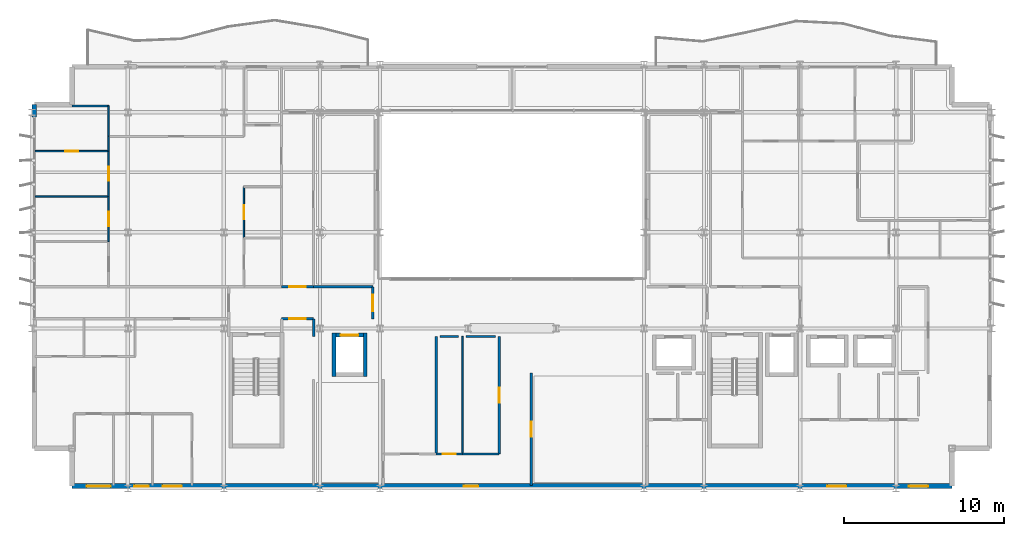
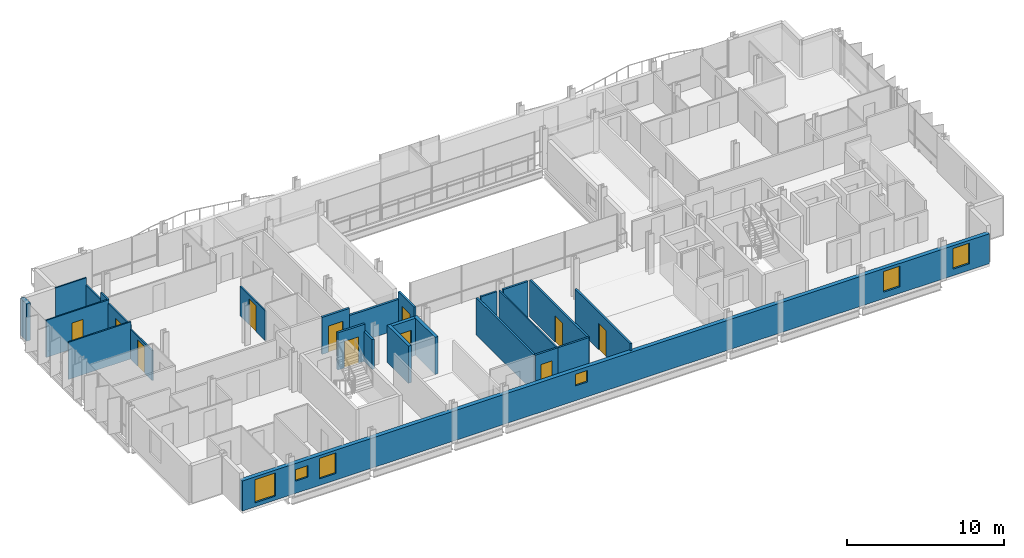
# One storey, part 29 of 38: 26 walls, 11 doors, 6 windows, 17 openings.
"""IFC4 building model written with IfcOpenShell, lengths in metres."""

from ifc_helpers import new_model, si_unit, direction, frame, frame_2d, origin, place, context, subcontext, project, spatial, rectangle, extrude, material, layer, layer_set, type_object, element, fill, save


model = new_model("IFC4")

# Units and contexts
model_context = context("Model", 3, precision=1e-05, world=origin(), true_north=direction((0.0, 1.0)))
body_context = subcontext(model_context, "Body", "Model", "MODEL_VIEW")
ifc_project = project(units=[si_unit("LENGTHUNIT", "METRE"), si_unit("AREAUNIT", "SQUARE_METRE"), si_unit("VOLUMEUNIT", "CUBIC_METRE"), si_unit("PLANEANGLEUNIT", "RADIAN"), si_unit("MASSUNIT", "GRAM", prefix="KILO")], contexts=[model_context])

# Site, building, storey
site_placement = place(None, origin())
site = spatial("IfcSite", under=ifc_project, at=site_placement, CompositionType="ELEMENT")
building_placement = place(site_placement, origin())
building = spatial("IfcBuilding", under=site, at=building_placement, Name="Brevholm Reach", CompositionType="ELEMENT")
storey_placement = place(building_placement, frame((0.0, 0.0, 186.300048828125)))
storey = spatial("IfcBuildingStorey", under=building, at=storey_placement, Name="L56", CompositionType="ELEMENT", Elevation=186.300048828125)

# Walls
ifc_material_1 = material(Name="Concrete C45/55", Category="concrete")
ifc_layer_1 = layer(ifc_material_1, 0.239990234375)
ifc_layer_set_1 = layer_set([ifc_layer_1], Name="Concrete C45/55")
wall_type_1 = type_object("IfcWallType", Name="WAL-COR-240", PredefinedType="SHEAR", material=ifc_layer_set_1)
for number, where, z_axis, x_axis, name in (
    (1, (18.8701171875, 7.0, 0.0), (0.0, 0.0, 1.0), (0.0, 1.0, 0.0), "L56 Lift FFL-1 Shaft Wall W"),
    (2, (20.830078125, 7.0, 0.0), (0.0, 0.0, 1.0), (0.0, 1.0, 0.0), "L56 Lift FFL-1 Shaft Wall E"),
):
    element("IfcWall", number, at=place(storey_placement, frame(where, z_axis=z_axis, x_axis=x_axis)), inside=storey, type_object=wall_type_1, Name=name, PredefinedType="SHEAR", context=body_context, shape_type="SweptSolid", body=[
        extrude(rectangle(XDim=2.699951171875, YDim=0.239990234375, at=frame_2d((1.35009765625, 0.0))), origin(), (0.0, 0.0, 1.0), 2.889892578125),
    ])

# Wall, opening, door
wall_1_placement = place(storey_placement, frame((18.989990234375, 9.580078125, 0.0), z_axis=(0.0, 0.0, 1.0), x_axis=(1.0, 0.0, 0.0)))
wall_1 = element("IfcWall", 3, at=wall_1_placement, inside=storey, type_object=wall_type_1, Name="L56 Lift FFL-1 Shaft Wall N", PredefinedType="SHEAR", context=body_context, shape_type="SweptSolid", body=[
    extrude(rectangle(XDim=1.719970703125, YDim=0.239990234375, at=frame_2d((0.85986328125, 0.0))), origin(), (0.0, 0.0, 1.0), 2.889892578125),
])
opening_1_placement = place(wall_1_placement, frame((0.31005859375, 0.0, 0.0)))
opening_1 = element("IfcOpeningElement", 4, at=opening_1_placement, cuts=wall_1, Name="Opening LD-FFL-1", PredefinedType="OPENING", context=body_context, shape_type="SweptSolid", body=[
    extrude(rectangle(XDim=1.10009765625, YDim=2.06005859375, at=frame_2d((0.550048828125, 1.030029296875))), frame((0.0, 0.1298828125, 0.0), z_axis=(0.0, -1.0, 0.0), x_axis=(1.0, 0.0, 0.0)), (0.0, 0.0, 1.0), 0.260009765625),
])
ifc_material_2 = material(Name="Brushed Stainless Steel Fire-Rated Sliding Lift Door", Category="steel")
door_type_1 = type_object("IfcDoorType", Name="DOR-LFT-1100", OperationType="NOTDEFINED", PredefinedType="DOOR", material=ifc_material_2)
door_1_placement = place(opening_1_placement, origin())
door_1 = element("IfcDoor", 5, at=door_1_placement, inside=storey, type_object=door_type_1, Name="L56 Lift FFL-1 Sliding Landing Door", OperationType="SLIDING_TO_RIGHT", OverallHeight=2.06005859375, OverallWidth=1.10009765625, PredefinedType="DOOR", context=body_context, shape_type="SweptSolid", body=[
    extrude(rectangle(XDim=1.10009765625, YDim=2.06005859375, at=frame_2d((0.550048828125, 1.030029296875))), frame((0.0, 0.02490234375, 0.0), z_axis=(0.0, -1.0, 0.0), x_axis=(1.0, 0.0, 0.0)), (0.0, 0.0, 1.0), 0.050048828125),
])
fill(opening_1, door_1)

# Wall, openings, windows
ifc_material_3 = material(Name="Concrete C40/50", Category="concrete")
ifc_layer_2 = layer(ifc_material_3, 0.300048828125)
ifc_layer_set_2 = layer_set([ifc_layer_2], Name="Concrete C40/50")
wall_type_2 = type_object("IfcWallType", Name="WAL-EXT-300", PredefinedType="STANDARD", material=ifc_layer_set_2)
wall_2_placement = place(storey_placement, frame((2.5, 0.14990234375, 0.0), z_axis=(0.0, 0.0, 1.0), x_axis=(1.0, 0.0, 0.0)))
wall_2 = element("IfcWall", 6, at=wall_2_placement, inside=storey, type_object=wall_type_2, Name="L56 Facade Wall WAL-L56-S", PredefinedType="STANDARD", context=body_context, shape_type="SweptSolid", body=[
    extrude(rectangle(XDim=55.0, YDim=0.300048828125, at=frame_2d((27.5, 0.0))), origin(), (0.0, 0.0, 1.0), 2.331787109375),
])
opening_2_placement = place(wall_2_placement, frame((0.919921875, 0.0, 0.31201171875)))
opening_2 = element("IfcOpeningElement", 7, at=opening_2_placement, cuts=wall_2, Name="Opening WN-05", PredefinedType="OPENING", context=body_context, shape_type="SweptSolid", body=[
    extrude(rectangle(XDim=1.5, YDim=1.800048828125, at=frame_2d((0.75, 0.89990234375))), frame((0.0, 0.159912109375, 0.0), z_axis=(0.0, -1.0, 0.0), x_axis=(1.0, 0.0, 0.0)), (0.0, 0.0, 1.0), 0.320068359375),
])
opening_3_placement = place(wall_2_placement, frame((24.5, 0.0, 1.14990234375)))
opening_3 = element("IfcOpeningElement", 8, at=opening_3_placement, cuts=wall_2, Name="Opening WN-09", PredefinedType="OPENING", context=body_context, shape_type="SweptSolid", body=[
    extrude(rectangle(XDim=0.89990234375, YDim=0.89990234375, at=frame_2d((0.449951171875, 0.449951171875))), frame((0.0, 0.159912109375, 0.0), z_axis=(0.0, -1.0, 0.0), x_axis=(1.0, 0.0, 0.0)), (0.0, 0.0, 1.0), 0.320068359375),
])
opening_4_placement = place(wall_2_placement, frame((47.199951171875, 0.0, 0.511962890625)))
opening_4 = element("IfcOpeningElement", 9, at=opening_4_placement, cuts=wall_2, Name="Opening WN-08", PredefinedType="OPENING", context=body_context, shape_type="SweptSolid", body=[
    extrude(rectangle(XDim=1.199951171875, YDim=1.60009765625, at=frame_2d((0.60009765625, 0.800048828125))), frame((0.0, 0.159912109375, 0.0), z_axis=(0.0, -1.0, 0.0), x_axis=(1.0, 0.0, 0.0)), (0.0, 0.0, 1.0), 0.320068359375),
])
opening_5_placement = place(wall_2_placement, frame((52.300048828125, 0.0, 0.511962890625)))
opening_5 = element("IfcOpeningElement", 10, at=opening_5_placement, cuts=wall_2, Name="Opening WN-08", PredefinedType="OPENING", context=body_context, shape_type="SweptSolid", body=[
    extrude(rectangle(XDim=1.199951171875, YDim=1.60009765625, at=frame_2d((0.60009765625, 0.800048828125))), frame((0.0, 0.159912109375, 0.0), z_axis=(0.0, -1.0, 0.0), x_axis=(1.0, 0.0, 0.0)), (0.0, 0.0, 1.0), 0.320068359375),
])
opening_6_placement = place(wall_2_placement, frame((3.90966796875, 0.0, 0.949951171875)))
opening_6 = element("IfcOpeningElement", 11, at=opening_6_placement, cuts=wall_2, Name="Opening WN-09", PredefinedType="OPENING", context=body_context, shape_type="SweptSolid", body=[
    extrude(rectangle(XDim=0.89990234375, YDim=0.89990234375, at=frame_2d((0.449951171875, 0.449951171875))), frame((0.0, 0.159912109375, 0.0), z_axis=(0.0, -1.0, 0.0), x_axis=(1.0, 0.0, 0.0)), (0.0, 0.0, 1.0), 0.320068359375),
])
opening_7_placement = place(wall_2_placement, frame((5.675048828125, 0.0, 0.511962890625)))
opening_7 = element("IfcOpeningElement", 12, at=opening_7_placement, cuts=wall_2, Name="Opening WN-08", PredefinedType="OPENING", context=body_context, shape_type="SweptSolid", body=[
    extrude(rectangle(XDim=1.199951171875, YDim=1.60009765625, at=frame_2d((0.60009765625, 0.800048828125))), frame((0.0, 0.159912109375, 0.0), z_axis=(0.0, -1.0, 0.0), x_axis=(1.0, 0.0, 0.0)), (0.0, 0.0, 1.0), 0.320068359375),
])
ifc_material_4 = material(Name="Dark Anodised Aluminium and Solar-Control IGU Glass", Category="aluminium")
window_type_1 = type_object("IfcWindowType", Name="WIN-POR-0900", PartitioningType="SINGLE_PANEL", PredefinedType="WINDOW", material=ifc_material_4)
window_1_placement = place(opening_3_placement, origin())
window_1 = element("IfcWindow", 13, at=window_1_placement, inside=storey, type_object=window_type_1, Name="L56 Window WIN-L56-S-POR", OverallHeight=0.89990234375, OverallWidth=0.89990234375, PartitioningType="SINGLE_PANEL", PredefinedType="WINDOW", context=body_context, shape_type="SweptSolid", body=[
    extrude(rectangle(XDim=0.89990234375, YDim=0.89990234375, at=frame_2d((0.449951171875, 0.449951171875))), frame((0.0, 0.030029296875, 0.0), z_axis=(0.0, -1.0, 0.0), x_axis=(1.0, 0.0, 0.0)), (0.0, 0.0, 1.0), 0.06005859375),
])
fill(opening_3, window_1)
window_2_placement = place(opening_6_placement, origin())
window_2 = element("IfcWindow", 14, at=window_2_placement, inside=storey, type_object=window_type_1, Name="L56 Bedroom Window 054", OverallHeight=0.89990234375, OverallWidth=0.89990234375, PartitioningType="SINGLE_PANEL", PredefinedType="WINDOW", context=body_context, shape_type="SweptSolid", body=[
    extrude(rectangle(XDim=0.89990234375, YDim=0.89990234375, at=frame_2d((0.449951171875, 0.449951171875))), frame((0.0, 0.030029296875, 0.0), z_axis=(0.0, -1.0, 0.0), x_axis=(1.0, 0.0, 0.0)), (0.0, 0.0, 1.0), 0.06005859375),
])
fill(opening_6, window_2)
ifc_material_5 = material(Name="Dark Anodised Aluminium and Solar-Control IGU Glass", Category="aluminium")
window_type_2 = type_object("IfcWindowType", Name="WIN-RES-1200", PartitioningType="SINGLE_PANEL", PredefinedType="WINDOW", material=ifc_material_5)
window_3_placement = place(opening_4_placement, origin())
window_3 = element("IfcWindow", 15, at=window_3_placement, inside=storey, type_object=window_type_2, Name="L56 Window WIN-L56-S-E1", OverallHeight=1.60009765625, OverallWidth=1.199951171875, PartitioningType="SINGLE_PANEL", PredefinedType="WINDOW", context=body_context, shape_type="SweptSolid", body=[
    extrude(rectangle(XDim=1.199951171875, YDim=1.60009765625, at=frame_2d((0.60009765625, 0.800048828125))), frame((0.0, 0.030029296875, 0.0), z_axis=(0.0, -1.0, 0.0), x_axis=(1.0, 0.0, 0.0)), (0.0, 0.0, 1.0), 0.06005859375),
])
fill(opening_4, window_3)
window_4_placement = place(opening_5_placement, origin())
window_4 = element("IfcWindow", 16, at=window_4_placement, inside=storey, type_object=window_type_2, Name="L56 Window WIN-L56-S-E2", OverallHeight=1.60009765625, OverallWidth=1.199951171875, PartitioningType="SINGLE_PANEL", PredefinedType="WINDOW", context=body_context, shape_type="SweptSolid", body=[
    extrude(rectangle(XDim=1.199951171875, YDim=1.60009765625, at=frame_2d((0.60009765625, 0.800048828125))), frame((0.0, 0.030029296875, 0.0), z_axis=(0.0, -1.0, 0.0), x_axis=(1.0, 0.0, 0.0)), (0.0, 0.0, 1.0), 0.06005859375),
])
fill(opening_5, window_4)
window_5_placement = place(opening_7_placement, origin())
window_5 = element("IfcWindow", 17, at=window_5_placement, inside=storey, type_object=window_type_2, Name="L56 Bedroom Window 055", OverallHeight=1.60009765625, OverallWidth=1.199951171875, PartitioningType="SINGLE_PANEL", PredefinedType="WINDOW", context=body_context, shape_type="SweptSolid", body=[
    extrude(rectangle(XDim=1.199951171875, YDim=1.60009765625, at=frame_2d((0.60009765625, 0.800048828125))), frame((0.0, 0.030029296875, 0.0), z_axis=(0.0, -1.0, 0.0), x_axis=(1.0, 0.0, 0.0)), (0.0, 0.0, 1.0), 0.06005859375),
])
fill(opening_7, window_5)
ifc_material_6 = material(Name="Dark Anodised Aluminium and Solar-Control IGU Glass", Category="aluminium")
window_type_3 = type_object("IfcWindowType", Name="WIN-RES-1500", PartitioningType="SINGLE_PANEL", PredefinedType="WINDOW", material=ifc_material_6)
window_6_placement = place(opening_2_placement, origin())
window_6 = element("IfcWindow", 18, at=window_6_placement, inside=storey, type_object=window_type_3, Name="L56 Window WIN-L56-S-W1", OverallHeight=1.800048828125, OverallWidth=1.5, PartitioningType="SINGLE_PANEL", PredefinedType="WINDOW", context=body_context, shape_type="SweptSolid", body=[
    extrude(rectangle(XDim=1.5, YDim=1.800048828125, at=frame_2d((0.75, 0.89990234375))), frame((0.0, 0.030029296875, 0.0), z_axis=(0.0, -1.0, 0.0), x_axis=(1.0, 0.0, 0.0)), (0.0, 0.0, 1.0), 0.06005859375),
])
fill(opening_2, window_6)

# Walls
wall_3_placement = place(storey_placement, frame((0.14990234375, 24.0, 0.0), z_axis=(0.0, 0.0, 1.0), x_axis=(0.0, -1.0, 0.0)))
element("IfcWall", 19, at=wall_3_placement, inside=storey, type_object=wall_type_2, Name="L56 Facade Wall WAL-L56-W-N", PredefinedType="STANDARD", context=body_context, shape_type="SweptSolid", body=[
    extrude(rectangle(XDim=0.780029296875, YDim=0.300048828125, at=frame_2d((0.39013671875, 0.0))), origin(), (0.0, 0.0, 1.0), 2.889892578125),
])
ifc_material_7 = material(Name="Moisture-Resistant Acoustic Gypsum Stud Partition 100 mm", Category="gypsum")
ifc_layer_3 = layer(ifc_material_7, 0.10009765625)
ifc_layer_set_3 = layer_set([ifc_layer_3], Name="Moisture-Resistant Acoustic Gypsum Stud Partition 100 mm")
wall_type_3 = type_object("IfcWallType", Name="WAL-PRT-100", PredefinedType="PARTITIONING", material=ifc_layer_set_3)
wall_4_placement = place(storey_placement, frame((26.89990234375, 2.154052734375, 0.0), z_axis=(0.0, 0.0, 1.0), x_axis=(0.0, 1.0, 0.0)))
element("IfcWall", 20, at=wall_4_placement, inside=storey, type_object=wall_type_3, Name="L56 Internal Partition 009", PredefinedType="PARTITIONING", context=body_context, shape_type="SweptSolid", body=[
    extrude(rectangle(XDim=7.345947265625, YDim=0.10009765625, at=frame_2d((3.6728515625, 0.0))), origin(), (0.0, 0.0, 1.0), 2.889892578125),
])

# Wall, opening, door
wall_5_placement = place(storey_placement, frame((13.25, 15.654052734375, 0.0), z_axis=(0.0, 0.0, 1.0), x_axis=(0.0, 1.0, 0.0)))
wall_5 = element("IfcWall", 21, at=wall_5_placement, inside=storey, type_object=wall_type_3, Name="L56 Internal Partition 073", PredefinedType="PARTITIONING", context=body_context, shape_type="SweptSolid", body=[
    extrude(rectangle(XDim=3.196044921875, YDim=0.10009765625, at=frame_2d((1.59814453125, 0.0))), origin(), (0.0, 0.0, 1.0), 2.325439453125),
])
opening_8_placement = place(wall_5_placement, frame((1.157958984375, 0.0, 0.0)))
opening_8 = element("IfcOpeningElement", 22, at=opening_8_placement, cuts=wall_5, Name="Opening ID-01", PredefinedType="OPENING", context=body_context, shape_type="SweptSolid", body=[
    extrude(rectangle(XDim=0.8798828125, YDim=2.0400390625, at=frame_2d((0.43994140625, 1.02001953125))), frame((0.0, 0.06005859375, 0.0), z_axis=(0.0, -1.0, 0.0), x_axis=(1.0, 0.0, 0.0)), (0.0, 0.0, 1.0), 0.1201171875),
])
ifc_material_8 = material(Name="Lacquered Ash Solid-Core Acoustic Internal Door", Category="timber")
door_type_2 = type_object("IfcDoorType", Name="DOR-INT-880", OperationType="NOTDEFINED", PredefinedType="DOOR", material=ifc_material_8)
door_2_placement = place(opening_8_placement, origin())
door_2 = element("IfcDoor", 23, at=door_2_placement, inside=storey, type_object=door_type_2, Name="L56 Internal Door 033", OperationType="SINGLE_SWING_RIGHT", OverallHeight=2.0400390625, OverallWidth=0.8798828125, PredefinedType="DOOR", context=body_context, shape_type="SweptSolid", body=[
    extrude(rectangle(XDim=0.8798828125, YDim=2.0400390625, at=frame_2d((0.43994140625, 1.02001953125))), frame((0.0, 0.02490234375, 0.0), z_axis=(0.0, -1.0, 0.0), x_axis=(1.0, 0.0, 0.0)), (0.0, 0.0, 1.0), 0.050048828125),
])
fill(opening_8, door_2)

# Wall
wall_6_placement = place(storey_placement, frame((0.199951171875, 18.25, 0.0), z_axis=(0.0, 0.0, 1.0), x_axis=(1.0, 0.0, 0.0)))
element("IfcWall", 24, at=wall_6_placement, inside=storey, type_object=wall_type_3, Name="L56 Internal Partition 079", PredefinedType="PARTITIONING", context=body_context, shape_type="SweptSolid", body=[
    extrude(rectangle(XDim=4.60009765625, YDim=0.10009765625, at=frame_2d((2.300048828125, 0.0))), origin(), (0.0, 0.0, 1.0), 2.889892578125),
])

# Wall, opening, door
wall_7_placement = place(storey_placement, frame((4.800048828125, 15.428955078125, 0.0), z_axis=(0.0, 0.0, 1.0), x_axis=(0.0, 1.0, 0.0)))
wall_7 = element("IfcWall", 25, at=wall_7_placement, inside=storey, type_object=wall_type_3, Name="L56 Internal Partition 080", PredefinedType="PARTITIONING", context=body_context, shape_type="SweptSolid", body=[
    extrude(rectangle(XDim=2.821044921875, YDim=0.10009765625, at=frame_2d((1.41064453125, 0.0))), origin(), (0.0, 0.0, 1.0), 2.325439453125),
])
opening_9_placement = place(wall_7_placement, frame((0.970458984375, 0.0, 0.0)))
opening_9 = element("IfcOpeningElement", 26, at=opening_9_placement, cuts=wall_7, Name="Opening ID-01", PredefinedType="OPENING", context=body_context, shape_type="SweptSolid", body=[
    extrude(rectangle(XDim=0.8798828125, YDim=2.0400390625, at=frame_2d((0.43994140625, 1.02001953125))), frame((0.0, 0.06005859375, 0.0), z_axis=(0.0, -1.0, 0.0), x_axis=(1.0, 0.0, 0.0)), (0.0, 0.0, 1.0), 0.1201171875),
])
door_3_placement = place(opening_9_placement, origin())
door_3 = element("IfcDoor", 27, at=door_3_placement, inside=storey, type_object=door_type_2, Name="L56 Internal Door 036", OperationType="SINGLE_SWING_LEFT", OverallHeight=2.0400390625, OverallWidth=0.8798828125, PredefinedType="DOOR", context=body_context, shape_type="SweptSolid", body=[
    extrude(rectangle(XDim=0.8798828125, YDim=2.0400390625, at=frame_2d((0.43994140625, 1.02001953125))), frame((0.0, 0.02490234375, 0.0), z_axis=(0.0, -1.0, 0.0), x_axis=(1.0, 0.0, 0.0)), (0.0, 0.0, 1.0), 0.050048828125),
])
fill(opening_9, door_3)

wall_8_placement = place(storey_placement, frame((0.199951171875, 21.074951171875, 0.0), z_axis=(0.0, 0.0, 1.0), x_axis=(1.0, 0.0, 0.0)))
wall_8 = element("IfcWall", 28, at=wall_8_placement, inside=storey, type_object=wall_type_3, Name="L56 Internal Partition 081", PredefinedType="PARTITIONING", context=body_context, shape_type="SweptSolid", body=[
    extrude(rectangle(XDim=4.60009765625, YDim=0.10009765625, at=frame_2d((2.300048828125, 0.0))), origin(), (0.0, 0.0, 1.0), 2.889892578125),
])
opening_10_placement = place(wall_8_placement, frame((1.889892578125, 0.0, 0.0)))
opening_10 = element("IfcOpeningElement", 29, at=opening_10_placement, cuts=wall_8, Name="Opening ID-03", PredefinedType="OPENING", context=body_context, shape_type="SweptSolid", body=[
    extrude(rectangle(XDim=0.820068359375, YDim=2.02001953125, at=frame_2d((0.41015625, 1.010009765625))), frame((0.0, 0.06005859375, 0.0), z_axis=(0.0, -1.0, 0.0), x_axis=(1.0, 0.0, 0.0)), (0.0, 0.0, 1.0), 0.1201171875),
])
ifc_material_9 = material(Name="Moisture-Resistant Painted Timber Internal Bathroom Door", Category="wood")
door_type_3 = type_object("IfcDoorType", Name="DOR-BATH-820", OperationType="NOTDEFINED", PredefinedType="DOOR", material=ifc_material_9)
door_4_placement = place(opening_10_placement, origin())
door_4 = element("IfcDoor", 30, at=door_4_placement, inside=storey, type_object=door_type_3, Name="L56 Access Door 043", OperationType="SINGLE_SWING_RIGHT", OverallHeight=2.02001953125, OverallWidth=0.820068359375, PredefinedType="DOOR", context=body_context, shape_type="SweptSolid", body=[
    extrude(rectangle(XDim=0.820068359375, YDim=2.02001953125, at=frame_2d((0.41015625, 1.010009765625))), frame((0.0, 0.02490234375, 0.0), z_axis=(0.0, -1.0, 0.0), x_axis=(1.0, 0.0, 0.0)), (0.0, 0.0, 1.0), 0.050048828125),
])
fill(opening_10, door_4)

wall_9_placement = place(storey_placement, frame((4.800048828125, 18.25390625, 0.0), z_axis=(0.0, 0.0, 1.0), x_axis=(0.0, 1.0, 0.0)))
wall_9 = element("IfcWall", 31, at=wall_9_placement, inside=storey, type_object=wall_type_3, Name="L56 Internal Partition 082", PredefinedType="PARTITIONING", context=body_context, shape_type="SweptSolid", body=[
    extrude(rectangle(XDim=2.821044921875, YDim=0.10009765625, at=frame_2d((1.41064453125, 0.0))), origin(), (0.0, 0.0, 1.0), 2.613525390625),
])
opening_11_placement = place(wall_9_placement, frame((0.970458984375, 0.0, 0.0)))
opening_11 = element("IfcOpeningElement", 32, at=opening_11_placement, cuts=wall_9, Name="Opening ID-01", PredefinedType="OPENING", context=body_context, shape_type="SweptSolid", body=[
    extrude(rectangle(XDim=0.8798828125, YDim=2.0400390625, at=frame_2d((0.43994140625, 1.02001953125))), frame((0.0, 0.06005859375, 0.0), z_axis=(0.0, -1.0, 0.0), x_axis=(1.0, 0.0, 0.0)), (0.0, 0.0, 1.0), 0.1201171875),
])
door_5_placement = place(opening_11_placement, origin())
door_5 = element("IfcDoor", 33, at=door_5_placement, inside=storey, type_object=door_type_2, Name="L56 Internal Door 037", OperationType="SINGLE_SWING_RIGHT", OverallHeight=2.0400390625, OverallWidth=0.8798828125, PredefinedType="DOOR", context=body_context, shape_type="SweptSolid", body=[
    extrude(rectangle(XDim=0.8798828125, YDim=2.0400390625, at=frame_2d((0.43994140625, 1.02001953125))), frame((0.0, 0.02490234375, 0.0), z_axis=(0.0, -1.0, 0.0), x_axis=(1.0, 0.0, 0.0)), (0.0, 0.0, 1.0), 0.050048828125),
])
fill(opening_11, door_5)

# Walls
wall_10_placement = place(storey_placement, frame((2.52001953125, 23.89990234375, 0.0), z_axis=(0.0, 0.0, 1.0), x_axis=(1.0, 0.0, 0.0)))
element("IfcWall", 34, at=wall_10_placement, inside=storey, type_object=wall_type_3, Name="L56 Internal Partition 083", PredefinedType="PARTITIONING", context=body_context, shape_type="SweptSolid", body=[
    extrude(rectangle(XDim=2.280029296875, YDim=0.10009765625, at=frame_2d((1.14013671875, 0.0))), origin(), (0.0, 0.0, 1.0), 2.889892578125),
])
wall_11_placement = place(storey_placement, frame((4.800048828125, 21.983642578125, 0.0), z_axis=(0.0, 0.0, 1.0), x_axis=(0.0, 1.0, 0.0)))
element("IfcWall", 35, at=wall_11_placement, inside=storey, type_object=wall_type_3, Name="L56 Internal Partition 084", PredefinedType="PARTITIONING", context=body_context, shape_type="SweptSolid", body=[
    extrude(rectangle(XDim=1.916259765625, YDim=0.10009765625, at=frame_2d((0.9580078125, 0.0))), origin(), (0.0, 0.0, 1.0), 2.325439453125),
])
wall_12_placement = place(storey_placement, frame((4.800048828125, 21.0791015625, 0.0), z_axis=(0.0, 0.0, 1.0), x_axis=(0.0, 1.0, 0.0)))
element("IfcWall", 36, at=wall_12_placement, inside=storey, type_object=wall_type_3, Name="L56 Internal Partition 085", PredefinedType="PARTITIONING", context=body_context, shape_type="SweptSolid", body=[
    extrude(rectangle(XDim=0.923095703125, YDim=0.10009765625, at=frame_2d((0.46142578125, 0.0))), origin(), (0.0, 0.0, 1.0), 2.889892578125),
])

# Wall, opening, door
ifc_material_10 = material(Name="Twin-Stud Acoustic Fire-Rated Gypsum Partition 140 mm", Category="gypsum")
ifc_layer_4 = layer(ifc_material_10, 0.139892578125)
ifc_layer_set_4 = layer_set([ifc_layer_4], Name="Twin-Stud Acoustic Fire-Rated Gypsum Partition 140 mm")
wall_type_4 = type_object("IfcWallType", Name="WAL-PRT-140", PredefinedType="PARTITIONING", material=ifc_layer_set_4)
wall_13_placement = place(storey_placement, frame((29.199951171875, 2.142578125, 0.0), z_axis=(0.0, 0.0, 1.0), x_axis=(0.0, 1.0, 0.0)))
wall_13 = element("IfcWall", 37, at=wall_13_placement, inside=storey, type_object=wall_type_4, Name="L56 Internal Partition 001", PredefinedType="PARTITIONING", context=body_context, shape_type="SweptSolid", body=[
    extrude(rectangle(XDim=7.36865234375, YDim=0.139892578125, at=frame_2d((3.684326171875, 0.0))), origin(), (0.0, 0.0, 1.0), 2.889892578125),
])
opening_12_placement = place(wall_13_placement, frame((3.209228515625, 0.0, 0.0)))
opening_12 = element("IfcOpeningElement", 38, at=opening_12_placement, cuts=wall_13, Name="Opening ID-30", PredefinedType="OPENING", context=body_context, shape_type="SweptSolid", body=[
    extrude(rectangle(XDim=0.949951171875, YDim=2.050048828125, at=frame_2d((0.47509765625, 1.02490234375))), frame((0.0, 0.079833984375, 0.0), z_axis=(0.0, -1.0, 0.0), x_axis=(1.0, 0.0, 0.0)), (0.0, 0.0, 1.0), 0.159912109375),
])
ifc_material_11 = material(Name="European Oak Veneered Solid-Core Fire Entrance Door", Category="timber")
door_type_4 = type_object("IfcDoorType", Name="DOR-FLT-FD30S", OperationType="NOTDEFINED", PredefinedType="DOOR", material=ifc_material_11)
door_6_placement = place(opening_12_placement, origin())
door_6 = element("IfcDoor", 39, at=door_6_placement, inside=storey, type_object=door_type_4, Name="L56 Internal Door 001", OperationType="SINGLE_SWING_RIGHT", OverallHeight=2.050048828125, OverallWidth=0.949951171875, PredefinedType="DOOR", context=body_context, shape_type="SweptSolid", body=[
    extrude(rectangle(XDim=0.949951171875, YDim=2.050048828125, at=frame_2d((0.47509765625, 1.02490234375))), frame((0.0, 0.02490234375, 0.0), z_axis=(0.0, -1.0, 0.0), x_axis=(1.0, 0.0, 0.0)), (0.0, 0.0, 1.0), 0.050048828125),
])
fill(opening_12, door_6)

wall_14_placement = place(storey_placement, frame((31.199951171875, 0.179931640625, 0.0), z_axis=(0.0, 0.0, 1.0), x_axis=(0.0, 1.0, 0.0)))
wall_14 = element("IfcWall", 40, at=wall_14_placement, inside=storey, type_object=wall_type_4, Name="L56 Internal Partition 002", PredefinedType="PARTITIONING", context=body_context, shape_type="SweptSolid", body=[
    extrude(rectangle(XDim=7.03125, YDim=0.139892578125, at=frame_2d((3.515625, 0.0))), origin(), (0.0, 0.0, 1.0), 2.889892578125),
])
opening_13_placement = place(wall_14_placement, frame((3.04052734375, 0.0, 0.0)))
opening_13 = element("IfcOpeningElement", 41, at=opening_13_placement, cuts=wall_14, Name="Opening ID-30", PredefinedType="OPENING", context=body_context, shape_type="SweptSolid", body=[
    extrude(rectangle(XDim=0.949951171875, YDim=2.050048828125, at=frame_2d((0.47509765625, 1.02490234375))), frame((0.0, 0.079833984375, 0.0), z_axis=(0.0, -1.0, 0.0), x_axis=(1.0, 0.0, 0.0)), (0.0, 0.0, 1.0), 0.159912109375),
])
door_7_placement = place(opening_13_placement, origin())
door_7 = element("IfcDoor", 42, at=door_7_placement, inside=storey, type_object=door_type_4, Name="L56 Internal Door 002", OperationType="SINGLE_SWING_LEFT", OverallHeight=2.050048828125, OverallWidth=0.949951171875, PredefinedType="DOOR", context=body_context, shape_type="SweptSolid", body=[
    extrude(rectangle(XDim=0.949951171875, YDim=2.050048828125, at=frame_2d((0.47509765625, 1.02490234375))), frame((0.0, 0.02490234375, 0.0), z_axis=(0.0, -1.0, 0.0), x_axis=(1.0, 0.0, 0.0)), (0.0, 0.0, 1.0), 0.050048828125),
])
fill(opening_13, door_7)

wall_15_placement = place(storey_placement, frame((25.252685546875, 2.14990234375, 0.0), z_axis=(0.0, 0.0, 1.0), x_axis=(1.0, 0.0, 0.0)))
wall_15 = element("IfcWall", 43, at=wall_15_placement, inside=storey, type_object=wall_type_4, Name="L56 Internal Partition 004", PredefinedType="PARTITIONING", context=body_context, shape_type="SweptSolid", body=[
    extrude(rectangle(XDim=1.65869140625, YDim=0.139892578125, at=frame_2d((0.829345703125, 0.0))), origin(), (0.0, 0.0, 1.0), 2.889892578125),
])
opening_14_placement = place(wall_15_placement, frame((0.419189453125, 0.0, 0.0)))
opening_14 = element("IfcOpeningElement", 44, at=opening_14_placement, cuts=wall_15, Name="Opening ID-02", PredefinedType="OPENING", context=body_context, shape_type="SweptSolid", body=[
    extrude(rectangle(XDim=0.820068359375, YDim=2.02001953125, at=frame_2d((0.41015625, 1.010009765625))), frame((0.0, 0.079833984375, 0.0), z_axis=(0.0, -1.0, 0.0), x_axis=(1.0, 0.0, 0.0)), (0.0, 0.0, 1.0), 0.159912109375),
])
ifc_material_12 = material(Name="Moisture-Resistant Painted Timber Fire-Rated Riser and Service Door", Category="wood")
door_type_5 = type_object("IfcDoorType", Name="DOR-SRV-820", OperationType="NOTDEFINED", PredefinedType="DOOR", material=ifc_material_12)
door_8_placement = place(opening_14_placement, origin())
door_8 = element("IfcDoor", 45, at=door_8_placement, inside=storey, type_object=door_type_5, Name="L56 Internal Door 004", OperationType="SINGLE_SWING_LEFT", OverallHeight=2.02001953125, OverallWidth=0.820068359375, PredefinedType="DOOR", context=body_context, shape_type="SweptSolid", body=[
    extrude(rectangle(XDim=0.820068359375, YDim=2.02001953125, at=frame_2d((0.41015625, 1.010009765625))), frame((0.0, 0.02490234375, 0.0), z_axis=(0.0, -1.0, 0.0), x_axis=(1.0, 0.0, 0.0)), (0.0, 0.0, 1.0), 0.050048828125),
])
fill(opening_14, door_8)

# Walls
wall_16_placement = place(storey_placement, frame((26.892578125, 2.14990234375, 0.0), z_axis=(0.0, 0.0, 1.0), x_axis=(1.0, 0.0, 0.0)))
element("IfcWall", 46, at=wall_16_placement, inside=storey, type_object=wall_type_4, Name="L56 Internal Partition 005", PredefinedType="PARTITIONING", context=body_context, shape_type="SweptSolid", body=[
    extrude(rectangle(XDim=2.303466796875, YDim=0.139892578125, at=frame_2d((1.15185546875, 0.0))), origin(), (0.0, 0.0, 1.0), 2.889892578125),
])
wall_17_placement = place(storey_placement, frame((25.260009765625, 2.154052734375, 0.0), z_axis=(0.0, 0.0, 1.0), x_axis=(0.0, 1.0, 0.0)))
element("IfcWall", 47, at=wall_17_placement, inside=storey, type_object=wall_type_4, Name="L56 Internal Partition 007", PredefinedType="PARTITIONING", context=body_context, shape_type="SweptSolid", body=[
    extrude(rectangle(XDim=7.345947265625, YDim=0.139892578125, at=frame_2d((3.6728515625, 0.0))), origin(), (0.0, 0.0, 1.0), 2.889892578125),
])
wall_18_placement = place(storey_placement, frame((25.5, 9.5, 0.0), z_axis=(0.0, 0.0, 1.0), x_axis=(1.0, 0.0, 0.0)))
element("IfcWall", 48, at=wall_18_placement, inside=storey, type_object=wall_type_4, Name="L56 Internal Partition 104", PredefinedType="PARTITIONING", context=body_context, shape_type="SweptSolid", body=[
    extrude(rectangle(XDim=1.159912109375, YDim=0.139892578125, at=frame_2d((0.580078125, 0.0))), origin(), (0.0, 0.0, 1.0), 2.889892578125),
])
wall_19_placement = place(storey_placement, frame((27.139892578125, 9.5, 0.0), z_axis=(0.0, 0.0, 1.0), x_axis=(1.0, 0.0, 0.0)))
element("IfcWall", 49, at=wall_19_placement, inside=storey, type_object=wall_type_4, Name="L56 Internal Partition 105", PredefinedType="PARTITIONING", context=body_context, shape_type="SweptSolid", body=[
    extrude(rectangle(XDim=1.820068359375, YDim=0.139892578125, at=frame_2d((0.91015625, 0.0))), origin(), (0.0, 0.0, 1.0), 2.889892578125),
])
ifc_material_13 = material(Name="Twin-Frame Fire-Rated Gypsum Board and Mineral Wool 160 mm", Category="gypsum")
ifc_layer_5 = layer(ifc_material_13, 0.159912109375)
ifc_layer_set_5 = layer_set([ifc_layer_5], Name="Twin-Frame Fire-Rated Gypsum Board and Mineral Wool 160 mm")
wall_type_5 = type_object("IfcWallType", Name="WAL-PRT-160", PredefinedType="PARTITIONING", material=ifc_layer_set_5)
wall_20_placement = place(storey_placement, frame((17.60009765625, 9.48876953125, 0.0), z_axis=(0.0, 0.0, 1.0), x_axis=(0.0, 1.0, 0.0)))
element("IfcWall", 50, at=wall_20_placement, inside=storey, type_object=wall_type_5, Name="L56 Internal Partition 016", PredefinedType="PARTITIONING", context=body_context, shape_type="SweptSolid", body=[
    extrude(rectangle(XDim=1.111328125, YDim=0.159912109375, at=frame_2d((0.5556640625, 0.0))), origin(), (0.0, 0.0, 1.0), 2.325439453125),
])

# Wall, opening, door
wall_21_placement = place(storey_placement, frame((15.60009765625, 10.60009765625, 0.0), z_axis=(0.0, 0.0, 1.0), x_axis=(1.0, 0.0, 0.0)))
wall_21 = element("IfcWall", 51, at=wall_21_placement, inside=storey, type_object=wall_type_5, Name="L56 Internal Partition 017", PredefinedType="PARTITIONING", context=body_context, shape_type="SweptSolid", body=[
    extrude(rectangle(XDim=2.0, YDim=0.159912109375, at=frame_2d((1.0, 0.0))), origin(), (0.0, 0.0, 1.0), 2.889892578125),
])
opening_15_placement = place(wall_21_placement, frame((0.47509765625, 0.0, 0.0)))
opening_15 = element("IfcOpeningElement", 52, at=opening_15_placement, cuts=wall_21, Name="Opening FD-01", PredefinedType="OPENING", context=body_context, shape_type="SweptSolid", body=[
    extrude(rectangle(XDim=1.050048828125, YDim=2.06005859375, at=frame_2d((0.52490234375, 1.030029296875))), frame((0.0, 0.08984375, 0.0), z_axis=(0.0, -1.0, 0.0), x_axis=(1.0, 0.0, 0.0)), (0.0, 0.0, 1.0), 0.179931640625),
])
ifc_material_14 = material(Name="Hardwood-Lipped Steel-Core Fire and Smoke Door", Category="steel")
door_type_6 = type_object("IfcDoorType", Name="DOR-INT-FD60S", OperationType="NOTDEFINED", PredefinedType="DOOR", material=ifc_material_14)
door_9_placement = place(opening_15_placement, origin())
door_9 = element("IfcDoor", 53, at=door_9_placement, inside=storey, type_object=door_type_6, Name="L56 Internal Door 007", OperationType="SINGLE_SWING_RIGHT", OverallHeight=2.06005859375, OverallWidth=1.050048828125, PredefinedType="DOOR", context=body_context, shape_type="SweptSolid", body=[
    extrude(rectangle(XDim=1.050048828125, YDim=2.06005859375, at=frame_2d((0.52490234375, 1.030029296875))), frame((0.0, 0.02490234375, 0.0), z_axis=(0.0, -1.0, 0.0), x_axis=(1.0, 0.0, 0.0)), (0.0, 0.0, 1.0), 0.050048828125),
])
fill(opening_15, door_9)

wall_22_placement = place(storey_placement, frame((21.300048828125, 10.588623046875, 0.0), z_axis=(0.0, 0.0, 1.0), x_axis=(0.0, 1.0, 0.0)))
wall_22 = element("IfcWall", 54, at=wall_22_placement, inside=storey, type_object=wall_type_5, Name="L56 Internal Partition 027", PredefinedType="PARTITIONING", context=body_context, shape_type="SweptSolid", body=[
    extrude(rectangle(XDim=2.011474609375, YDim=0.159912109375, at=frame_2d((1.005859375, 0.0))), origin(), (0.0, 0.0, 1.0), 2.889892578125),
])
opening_16_placement = place(wall_22_placement, frame((0.480712890625, 0.0, 0.0)))
opening_16 = element("IfcOpeningElement", 55, at=opening_16_placement, cuts=wall_22, Name="Opening FD-01", PredefinedType="OPENING", context=body_context, shape_type="SweptSolid", body=[
    extrude(rectangle(XDim=1.050048828125, YDim=2.06005859375, at=frame_2d((0.52490234375, 1.030029296875))), frame((0.0, 0.08984375, 0.0), z_axis=(0.0, -1.0, 0.0), x_axis=(1.0, 0.0, 0.0)), (0.0, 0.0, 1.0), 0.179931640625),
])
door_10_placement = place(opening_16_placement, origin())
door_10 = element("IfcDoor", 56, at=door_10_placement, inside=storey, type_object=door_type_6, Name="L56 Internal Door 013", OperationType="SINGLE_SWING_RIGHT", OverallHeight=2.06005859375, OverallWidth=1.050048828125, PredefinedType="DOOR", context=body_context, shape_type="SweptSolid", body=[
    extrude(rectangle(XDim=1.050048828125, YDim=2.06005859375, at=frame_2d((0.52490234375, 1.030029296875))), frame((0.0, 0.02490234375, 0.0), z_axis=(0.0, -1.0, 0.0), x_axis=(1.0, 0.0, 0.0)), (0.0, 0.0, 1.0), 0.050048828125),
])
fill(opening_16, door_10)

wall_23_placement = place(storey_placement, frame((15.588623046875, 12.60009765625, 0.0), z_axis=(0.0, 0.0, 1.0), x_axis=(1.0, 0.0, 0.0)))
wall_23 = element("IfcWall", 57, at=wall_23_placement, inside=storey, type_object=wall_type_5, Name="L56 Internal Partition 028", PredefinedType="PARTITIONING", context=body_context, shape_type="SweptSolid", body=[
    extrude(rectangle(XDim=2.022705078125, YDim=0.159912109375, at=frame_2d((1.01123046875, 0.0))), origin(), (0.0, 0.0, 1.0), 2.889892578125),
])
opening_17_placement = place(wall_23_placement, frame((0.486328125, 0.0, 0.0)))
opening_17 = element("IfcOpeningElement", 58, at=opening_17_placement, cuts=wall_23, Name="Opening FD-01", PredefinedType="OPENING", context=body_context, shape_type="SweptSolid", body=[
    extrude(rectangle(XDim=1.050048828125, YDim=2.06005859375, at=frame_2d((0.52490234375, 1.030029296875))), frame((0.0, 0.08984375, 0.0), z_axis=(0.0, -1.0, 0.0), x_axis=(1.0, 0.0, 0.0)), (0.0, 0.0, 1.0), 0.179931640625),
])
door_11_placement = place(opening_17_placement, origin())
door_11 = element("IfcDoor", 59, at=door_11_placement, inside=storey, type_object=door_type_6, Name="L56 Internal Door 014", OperationType="SINGLE_SWING_LEFT", OverallHeight=2.06005859375, OverallWidth=1.050048828125, PredefinedType="DOOR", context=body_context, shape_type="SweptSolid", body=[
    extrude(rectangle(XDim=1.050048828125, YDim=2.06005859375, at=frame_2d((0.52490234375, 1.030029296875))), frame((0.0, 0.02490234375, 0.0), z_axis=(0.0, -1.0, 0.0), x_axis=(1.0, 0.0, 0.0)), (0.0, 0.0, 1.0), 0.050048828125),
])
fill(opening_17, door_11)

# Wall
wall_24_placement = place(storey_placement, frame((17.5927734375, 12.60009765625, 0.0), z_axis=(0.0, 0.0, 1.0), x_axis=(1.0, 0.0, 0.0)))
element("IfcWall", 60, at=wall_24_placement, inside=storey, type_object=wall_type_5, Name="L56 Internal Partition 033", PredefinedType="PARTITIONING", context=body_context, shape_type="SweptSolid", body=[
    extrude(rectangle(XDim=3.707275390625, YDim=0.159912109375, at=frame_2d((1.853515625, 0.0))), origin(), (0.0, 0.0, 1.0), 2.325439453125),
])

save(model, "model.ifc")
